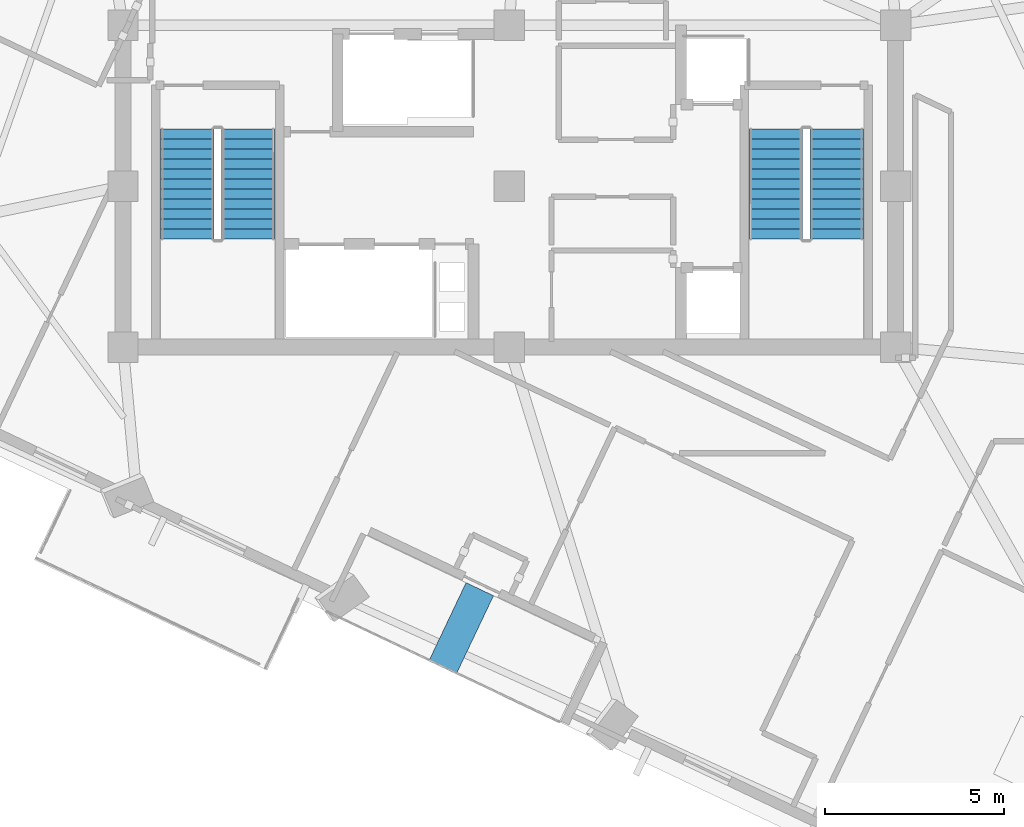
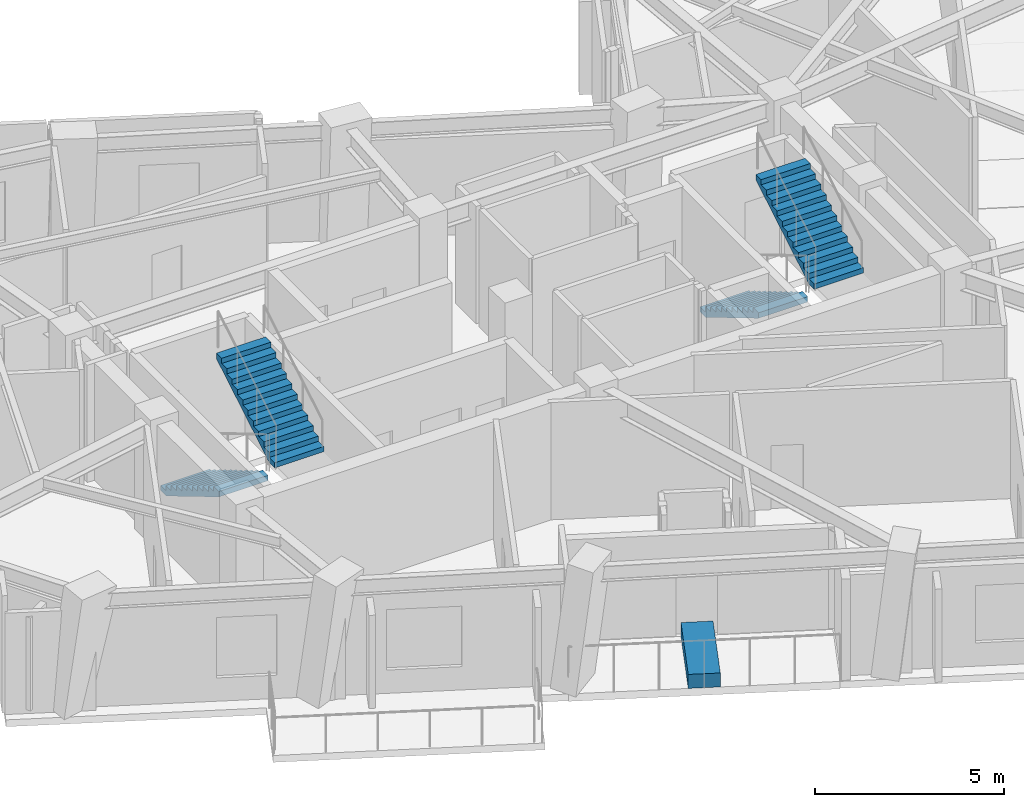
# One storey, part 9 of 13: 4 stair flights, 1 discrete accessory, 2 elements without a shape of their own.
"""IFC4 building model written with IfcOpenShell, lengths in metres."""

from ifc_helpers import new_model, si_unit, direction, frame, origin, origin_2d, place, context, subcontext, project, spatial, polyline, rectangle, outline, extrude, material, type_object, element, aggregate, save


model = new_model("IFC4")

# Units and contexts
model_context = context("Model", 3, precision=1e-05, world=origin(), true_north=direction((0.0, 1.0)))
body_context = subcontext(model_context, "Body", "Model", "MODEL_VIEW")
ifc_project = project(units=[si_unit("LENGTHUNIT", "METRE"), si_unit("AREAUNIT", "SQUARE_METRE"), si_unit("VOLUMEUNIT", "CUBIC_METRE"), si_unit("PLANEANGLEUNIT", "RADIAN"), si_unit("MASSUNIT", "GRAM", prefix="KILO")], contexts=[model_context])

# Site, building, storey
site_placement = place(None, origin())
site = spatial("IfcSite", under=ifc_project, at=site_placement, CompositionType="ELEMENT")
building_placement = place(site_placement, origin())
building = spatial("IfcBuilding", under=site, at=building_placement, Name="Gaonmaruhae Medical Tower", CompositionType="ELEMENT")
storey_placement = place(building_placement, frame((0.0, 0.0, 300.60009765625)))
storey = spatial("IfcBuildingStorey", under=building, at=storey_placement, Name="L72", CompositionType="ELEMENT", Elevation=300.60009765625)

# Stair, stair flights
ifc_material_1 = material(Name="Concrete C40/50", Category="concrete")
stair_type = type_object("IfcStairType", Name="ST-T1 Primary Core Escape Dogleg Stair", PredefinedType="TWO_QUARTER_TURN_STAIR", material=ifc_material_1)
stair_1_placement = place(storey_placement, origin())
stair_1 = element("IfcStair", 1, at=stair_1_placement, inside=storey, type_object=stair_type, Name="L72 Protected Escape Stair ST-01", PredefinedType="TWO_QUARTER_TURN_STAIR")
stair_flight_type = type_object("IfcStairFlightType", Name="SF-T1 Primary Core Precast Stair Flight", PredefinedType="STRAIGHT", material=ifc_material_1)
stair_flight_1_placement = place(storey_placement, frame((15.800048828125, 13.89990234375, 0.0), z_axis=(0.0, 0.0, 1.0), x_axis=(0.0, -1.0, 0.0)))
stair_flight_1 = element("IfcStairFlight", 2, at=stair_flight_1_placement, type_object=stair_flight_type, Name="ST-01 flight 1", NumberOfRisers=12, NumberOfTreads=11, PredefinedType="STRAIGHT", RiserHeight=0.166666667, TreadLength=0.28, context=body_context, shape_type="SweptSolid", body=[
    extrude(outline(polyline([(0.0, 0.0), (0.0, 0.166748046875), (0.280029296875, 0.166748046875), (0.280029296875, 0.333251953125), (0.56005859375, 0.333251953125), (0.56005859375, 0.5), (0.840087890625, 0.5), (0.840087890625, 0.666748046875), (1.1201171875, 0.666748046875), (1.1201171875, 0.833251953125), (1.39990234375, 0.833251953125), (1.39990234375, 1.0), (1.679931640625, 1.0), (1.679931640625, 1.166748046875), (1.9599609375, 1.166748046875), (1.9599609375, 1.333251953125), (2.239990234375, 1.333251953125), (2.239990234375, 1.5), (2.52001953125, 1.5), (2.52001953125, 1.666748046875), (2.800048828125, 1.666748046875), (2.800048828125, 1.833251953125), (3.080078125, 1.833251953125), (3.080078125, 2.0), (3.080078125, 1.658935546875), (0.29296875, 0.0), (0.0, 0.0)])), frame((0.0, 0.75, 0.0), z_axis=(0.0, -1.0, 0.0), x_axis=(1.0, 0.0, 0.0)), (0.0, 0.0, 1.0), 1.5),
])
stair_flight_2_placement = place(storey_placement, frame((17.5, 10.820068359375, 2.0), z_axis=(0.0, 0.0, 1.0), x_axis=(0.0, 1.0, 0.0)))
stair_flight_2 = element("IfcStairFlight", 3, at=stair_flight_2_placement, type_object=stair_flight_type, Name="ST-01 flight 2", NumberOfRisers=12, NumberOfTreads=11, PredefinedType="STRAIGHT", RiserHeight=0.166666667, TreadLength=0.28, context=body_context, shape_type="SweptSolid", body=[
    extrude(outline(polyline([(0.0, 0.0), (0.0, 0.166748046875), (0.280029296875, 0.166748046875), (0.280029296875, 0.333251953125), (0.56005859375, 0.333251953125), (0.56005859375, 0.5), (0.840087890625, 0.5), (0.840087890625, 0.666748046875), (1.1201171875, 0.666748046875), (1.1201171875, 0.833251953125), (1.39990234375, 0.833251953125), (1.39990234375, 1.0), (1.679931640625, 1.0), (1.679931640625, 1.166748046875), (1.9599609375, 1.166748046875), (1.9599609375, 1.333251953125), (2.239990234375, 1.333251953125), (2.239990234375, 1.5), (2.52001953125, 1.5), (2.52001953125, 1.666748046875), (2.800048828125, 1.666748046875), (2.800048828125, 1.833251953125), (3.080078125, 1.833251953125), (3.080078125, 2.0), (3.080078125, 1.658935546875), (0.29296875, 0.0), (0.0, 0.0)])), frame((0.0, 0.75, 0.0), z_axis=(0.0, -1.0, 0.0), x_axis=(1.0, 0.0, 0.0)), (0.0, 0.0, 1.0), 1.5),
])
aggregate(stair_1, [stair_flight_1, stair_flight_2])

stair_2_placement = place(storey_placement, origin())
stair_2 = element("IfcStair", 4, at=stair_2_placement, inside=storey, type_object=stair_type, Name="L72 Protected Escape Stair ST-02", PredefinedType="TWO_QUARTER_TURN_STAIR")
stair_flight_3_placement = place(storey_placement, frame((32.25, 13.89990234375, 0.0), z_axis=(0.0, 0.0, 1.0), x_axis=(0.0, -1.0, 0.0)))
stair_flight_3 = element("IfcStairFlight", 5, at=stair_flight_3_placement, type_object=stair_flight_type, Name="ST-02 flight 1", NumberOfRisers=12, NumberOfTreads=11, PredefinedType="STRAIGHT", RiserHeight=0.166666667, TreadLength=0.28, context=body_context, shape_type="SweptSolid", body=[
    extrude(outline(polyline([(0.0, 0.0), (0.0, 0.166748046875), (0.280029296875, 0.166748046875), (0.280029296875, 0.333251953125), (0.56005859375, 0.333251953125), (0.56005859375, 0.5), (0.840087890625, 0.5), (0.840087890625, 0.666748046875), (1.1201171875, 0.666748046875), (1.1201171875, 0.833251953125), (1.39990234375, 0.833251953125), (1.39990234375, 1.0), (1.679931640625, 1.0), (1.679931640625, 1.166748046875), (1.9599609375, 1.166748046875), (1.9599609375, 1.333251953125), (2.239990234375, 1.333251953125), (2.239990234375, 1.5), (2.52001953125, 1.5), (2.52001953125, 1.666748046875), (2.800048828125, 1.666748046875), (2.800048828125, 1.833251953125), (3.080078125, 1.833251953125), (3.080078125, 2.0), (3.080078125, 1.658935546875), (0.29296875, 0.0), (0.0, 0.0)])), frame((0.0, 0.75, 0.0), z_axis=(0.0, -1.0, 0.0), x_axis=(1.0, 0.0, 0.0)), (0.0, 0.0, 1.0), 1.5),
])
stair_flight_4_placement = place(storey_placement, frame((33.949951171875, 10.820068359375, 2.0), z_axis=(0.0, 0.0, 1.0), x_axis=(0.0, 1.0, 0.0)))
stair_flight_4 = element("IfcStairFlight", 6, at=stair_flight_4_placement, type_object=stair_flight_type, Name="ST-02 flight 2", NumberOfRisers=12, NumberOfTreads=11, PredefinedType="STRAIGHT", RiserHeight=0.166666667, TreadLength=0.28, context=body_context, shape_type="SweptSolid", body=[
    extrude(outline(polyline([(0.0, 0.0), (0.0, 0.166748046875), (0.280029296875, 0.166748046875), (0.280029296875, 0.333251953125), (0.56005859375, 0.333251953125), (0.56005859375, 0.5), (0.840087890625, 0.5), (0.840087890625, 0.666748046875), (1.1201171875, 0.666748046875), (1.1201171875, 0.833251953125), (1.39990234375, 0.833251953125), (1.39990234375, 1.0), (1.679931640625, 1.0), (1.679931640625, 1.166748046875), (1.9599609375, 1.166748046875), (1.9599609375, 1.333251953125), (2.239990234375, 1.333251953125), (2.239990234375, 1.5), (2.52001953125, 1.5), (2.52001953125, 1.666748046875), (2.800048828125, 1.666748046875), (2.800048828125, 1.833251953125), (3.080078125, 1.833251953125), (3.080078125, 2.0), (3.080078125, 1.658935546875), (0.29296875, 0.0), (0.0, 0.0)])), frame((0.0, 0.75, 0.0), z_axis=(0.0, -1.0, 0.0), x_axis=(1.0, 0.0, 0.0)), (0.0, 0.0, 1.0), 1.5),
])
aggregate(stair_2, [stair_flight_3, stair_flight_4])

# Discrete accessory
ifc_material_2 = material(Name="Precast concrete C45/55", Category="concrete")
discrete_accessory_type = type_object("IfcDiscreteAccessoryType", Name="PLN-01 Sky Garden Precast Botanical Planter", PredefinedType="USERDEFINED", material=ifc_material_2)
discrete_accessory_placement = place(storey_placement, frame((23.45947265625, -0.052734375, 0.0), z_axis=(0.0, 0.0, 1.0), x_axis=(0.428935133403, 0.903335292863, 0.0)))
element("IfcDiscreteAccessory", 7, at=discrete_accessory_placement, inside=storey, type_object=discrete_accessory_type, Name="L72 Sky Garden Botanical Planter SLB-L72-TER", ObjectType="PLANTER", PredefinedType="USERDEFINED", context=body_context, shape_type="SweptSolid", body=[
    extrude(rectangle(XDim=2.39990234375, YDim=0.85009765625, at=origin_2d()), origin(), (0.0, 0.0, 1.0), 0.449951171875),
])

save(model, "model.ifc")
